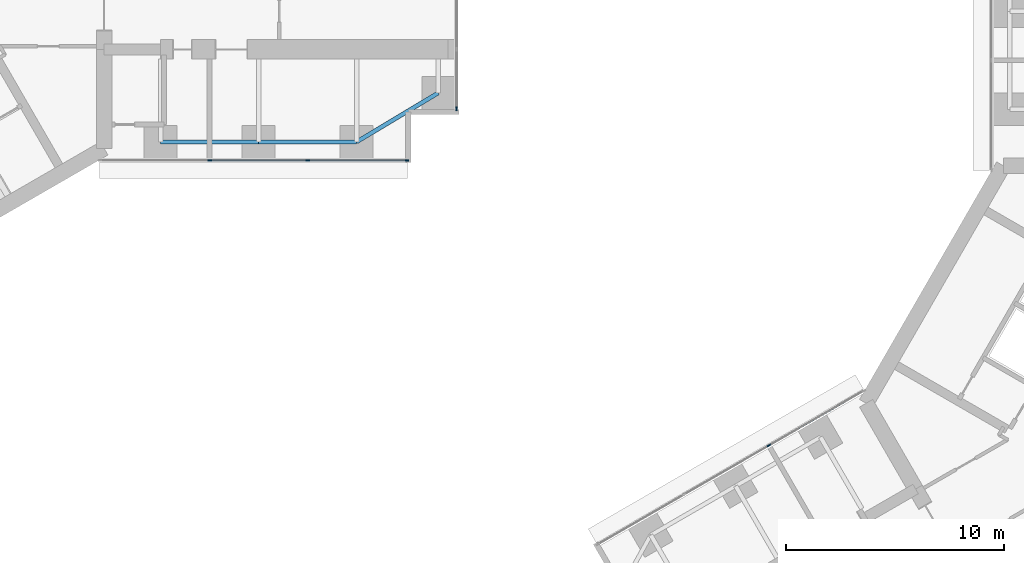
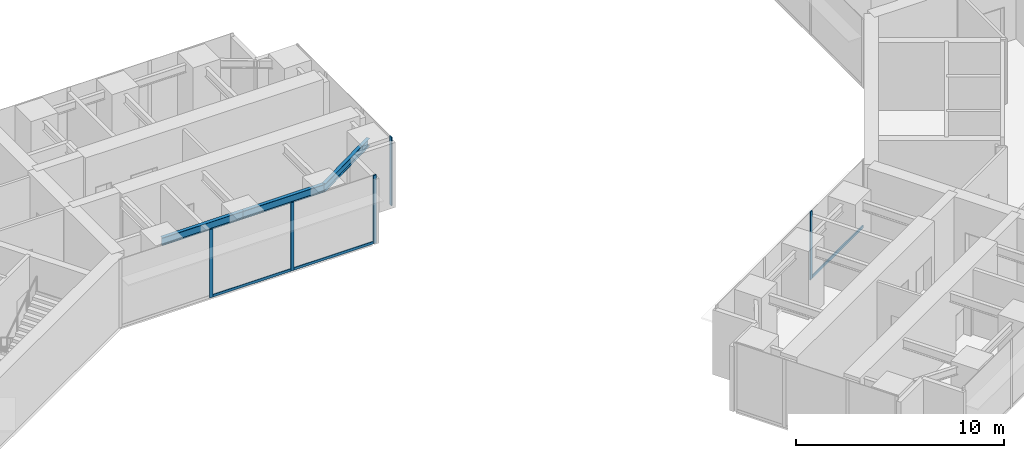
# One storey, part 5 of 23: 8 members, 3 beams, 3 elements without a shape of their own.
"""IFC4 building model written with IfcOpenShell, lengths in metres."""

from ifc_helpers import new_model, si_unit, direction, frame, origin, origin_2d, place, context, subcontext, project, spatial, rectangle, i_section, extrude, material, material_profile, profile_set, type_object, element, aggregate, save


model = new_model("IFC4")

# Units and contexts
model_context = context("Model", 3, precision=1e-05, world=origin(), true_north=direction((0.0, 1.0)))
body_context = subcontext(model_context, "Body", "Model", "MODEL_VIEW")
ifc_project = project(units=[si_unit("LENGTHUNIT", "METRE"), si_unit("AREAUNIT", "SQUARE_METRE"), si_unit("VOLUMEUNIT", "CUBIC_METRE"), si_unit("PLANEANGLEUNIT", "RADIAN"), si_unit("MASSUNIT", "GRAM", prefix="KILO")], contexts=[model_context])

# Site, building, storey
site_placement = place(None, origin())
site = spatial("IfcSite", under=ifc_project, at=site_placement, CompositionType="ELEMENT")
building_placement = place(site_placement, origin())
building = spatial("IfcBuilding", under=site, at=building_placement, Name="Upepo Twin Towers", CompositionType="ELEMENT")
storey_placement = place(building_placement, frame((0.0, 0.0, 28.5)))
storey = spatial("IfcBuildingStorey", under=building, at=storey_placement, Name="L06", CompositionType="ELEMENT", Elevation=28.5)

# Beams
ifc_material_1 = material(Name="Steel S355", Category="steel")
ifc_material_profile_1 = material_profile(ifc_material_1, i_section(OverallWidth=0.1904296875, OverallDepth=0.45703125, WebThickness=0.009033203125, FlangeThickness=0.014404296875, FilletRadius=0.01025390625, at=origin_2d()), Name="UB 457x191x74")
ifc_profile_set_1 = profile_set([ifc_material_profile_1], Name="Steel S355")
beam_type = type_object("IfcBeamType", Name="Beam UB 457x191x74", PredefinedType="BEAM", material=ifc_profile_set_1)
for number, where, z_axis, x_axis, name in (
    (1, (13.5, -6.0, 3.571533203125), (1.0, 0.0, 0.0), (0.0, 1.0, 0.0), "T1 edge beam AR 13.5-18.0"),
    (2, (18.0, -6.0, 3.571533203125), (1.0, 0.0, 0.0), (0.0, 1.0, 0.0), "T1 edge beam AR 18.0-22.5"),
):
    element("IfcBeam", number, at=place(storey_placement, frame(where, z_axis=z_axis, x_axis=x_axis)), inside=storey, type_object=beam_type, Name=name, PredefinedType="BEAM", context=body_context, shape_type="SweptSolid", body=[
        extrude(i_section(OverallWidth=0.1904296875, OverallDepth=0.45703125, WebThickness=0.009033203125, FlangeThickness=0.014404296875, FilletRadius=0.01025390625, at=origin_2d()), origin(), (0.0, 0.0, 1.0), 4.5),
    ])
beam_placement = place(storey_placement, frame((22.5, -6.0, 3.571533203125), z_axis=(0.857492925713, 0.514495755428, 0.0), x_axis=(-0.514495755428, 0.857492925713, 0.0)))
element("IfcBeam", 3, at=beam_placement, inside=storey, type_object=beam_type, Name="T1 nose edge beam AR", PredefinedType="BEAM", context=body_context, shape_type="SweptSolid", body=[
    extrude(i_section(OverallWidth=0.1904296875, OverallDepth=0.45703125, WebThickness=0.009033203125, FlangeThickness=0.014404296875, FilletRadius=0.01025390625, at=origin_2d()), origin(), (0.0, 0.0, 1.0), 4.373291015625),
])

# Curtain wall, members
ifc_material_2 = material(Name="Aluminium and fritted glass", Category="aluminium")
curtain_wall_type = type_object("IfcCurtainWallType", Name="Tower curtain wall TW1, fritted glass", PredefinedType="NOTDEFINED", material=ifc_material_2)
curtain_wall_1_placement = place(storey_placement, origin())
curtain_wall_1 = element("IfcCurtainWall", 4, at=curtain_wall_1_placement, inside=storey, type_object=curtain_wall_type, Name="T1 L06 wing A flank R curtain wall", PredefinedType="NOTDEFINED")
ifc_material_3 = material(Name="Aluminium mullion", Category="aluminium")
ifc_material_profile_2 = material_profile(ifc_material_3, rectangle(XDim=0.06494140625, YDim=0.179931640625, at=origin_2d()), Name="MULLION 65x180")
ifc_profile_set_2 = profile_set([ifc_material_profile_2], Name="Aluminium mullion")
member_type_1 = type_object("IfcMemberType", Name="Mullion 65x180 TW1", PredefinedType="MULLION", material=ifc_profile_set_2)
member_1_placement = place(storey_placement, frame((24.8173828125, -6.85009765625, 0.0), z_axis=(0.0, 0.0, 1.0), x_axis=(0.0, -1.0, 0.0)))
member_1 = element("IfcMember", 5, at=member_1_placement, type_object=member_type_1, Name="T1 L06 wing A flank R curtain wall mullion 1", PredefinedType="MULLION", context=body_context, shape_type="SweptSolid", body=[
    extrude(rectangle(XDim=0.06494140625, YDim=0.179931640625, at=origin_2d()), origin(), (0.0, 0.0, 1.0), 4.0),
])
member_2_placement = place(storey_placement, frame((20.25, -6.85009765625, 0.0), z_axis=(0.0, 0.0, 1.0), x_axis=(0.0, -1.0, 0.0)))
member_2 = element("IfcMember", 6, at=member_2_placement, type_object=member_type_1, Name="T1 L06 wing A flank R curtain wall mullion 2", PredefinedType="MULLION", context=body_context, shape_type="SweptSolid", body=[
    extrude(rectangle(XDim=0.06494140625, YDim=0.179931640625, at=origin_2d()), origin(), (0.0, 0.0, 1.0), 4.0),
])
member_3_placement = place(storey_placement, frame((15.75, -6.85009765625, 0.0), z_axis=(0.0, 0.0, 1.0), x_axis=(0.0, -1.0, 0.0)))
member_3 = element("IfcMember", 7, at=member_3_placement, type_object=member_type_1, Name="T1 L06 wing A flank R curtain wall mullion 3", PredefinedType="MULLION", context=body_context, shape_type="SweptSolid", body=[
    extrude(rectangle(XDim=0.06494140625, YDim=0.179931640625, at=origin_2d()), origin(), (0.0, 0.0, 1.0), 4.0),
])

# Curtain wall, member
curtain_wall_2_placement = place(storey_placement, origin())
curtain_wall_2 = element("IfcCurtainWall", 8, at=curtain_wall_2_placement, inside=storey, type_object=curtain_wall_type, Name="T1 L06 wing A nose curtain wall", PredefinedType="NOTDEFINED")
member_4_placement = place(storey_placement, frame((27.10009765625, -4.467529296875, 0.0), z_axis=(0.0, 0.0, 1.0), x_axis=(-1.0, 0.0, 0.0)))
member_4 = element("IfcMember", 9, at=member_4_placement, type_object=member_type_1, Name="T1 L06 wing A nose curtain wall mullion 1", PredefinedType="MULLION", context=body_context, shape_type="SweptSolid", body=[
    extrude(rectangle(XDim=0.06494140625, YDim=0.179931640625, at=origin_2d()), origin(), (0.0, 0.0, 1.0), 4.0),
])
aggregate(curtain_wall_2, [member_4])

curtain_wall_3_placement = place(storey_placement, origin())
curtain_wall_3 = element("IfcCurtainWall", 10, at=curtain_wall_3_placement, inside=storey, type_object=curtain_wall_type, Name="T2 L06 wing B flank R curtain wall", PredefinedType="NOTDEFINED")
member_5_placement = place(storey_placement, frame((41.43505859375, -19.942626953125, 0.0), z_axis=(0.0, 0.0, 1.0), x_axis=(-0.500000024426, 0.866025389682, 0.0)))
member_5 = element("IfcMember", 11, at=member_5_placement, type_object=member_type_1, Name="T2 L06 wing B flank R curtain wall mullion 3", PredefinedType="MULLION", context=body_context, shape_type="SweptSolid", body=[
    extrude(rectangle(XDim=0.06494140625, YDim=0.179931640625, at=origin_2d()), origin(), (0.0, 0.0, 1.0), 4.0),
])

# Member
ifc_material_4 = material(Name="Aluminium transom", Category="aluminium")
ifc_material_profile_3 = material_profile(ifc_material_4, rectangle(XDim=0.06494140625, YDim=0.14990234375, at=origin_2d()), Name="TRANSOM 65x150")
ifc_profile_set_3 = profile_set([ifc_material_profile_3], Name="Aluminium transom")
member_type_2 = type_object("IfcMemberType", Name="Transom 65x150 TW1", PredefinedType="USERDEFINED", material=ifc_profile_set_3)
member_6_placement = place(storey_placement, frame((24.784912109375, -6.85009765625, 0.074951171875), z_axis=(-1.0, 0.0, 0.0), x_axis=(0.0, -1.0, 0.0)))
member_6 = element("IfcMember", 12, at=member_6_placement, type_object=member_type_2, Name="T1 L06 wing A flank R curtain wall transom 1", ObjectType="TRANSOM", PredefinedType="USERDEFINED", context=body_context, shape_type="SweptSolid", body=[
    extrude(rectangle(XDim=0.06494140625, YDim=0.14990234375, at=origin_2d()), origin(), (0.0, 0.0, 1.0), 4.50244140625),
])

member_7_placement = place(storey_placement, frame((20.217529296875, -6.85009765625, 0.074951171875), z_axis=(-1.0, 0.0, 0.0), x_axis=(0.0, -1.0, 0.0)))
member_7 = element("IfcMember", 13, at=member_7_placement, type_object=member_type_2, Name="T1 L06 wing A flank R curtain wall transom 2", ObjectType="TRANSOM", PredefinedType="USERDEFINED", context=body_context, shape_type="SweptSolid", body=[
    extrude(rectangle(XDim=0.06494140625, YDim=0.14990234375, at=origin_2d()), origin(), (0.0, 0.0, 1.0), 4.43505859375),
])

aggregate(curtain_wall_1, [member_1, member_2, member_3, member_6, member_7])

member_8_placement = place(storey_placement, frame((41.463134765625, -19.926513671875, 0.074951171875), z_axis=(0.866034933967, 0.499983492876, 0.0), x_axis=(-0.499983492876, 0.866034933967, 0.0)))
member_8 = element("IfcMember", 14, at=member_8_placement, type_object=member_type_2, Name="T2 L06 wing B flank R curtain wall transom 3", ObjectType="TRANSOM", PredefinedType="USERDEFINED", context=body_context, shape_type="SweptSolid", body=[
    extrude(rectangle(XDim=0.06494140625, YDim=0.14990234375, at=origin_2d()), origin(), (0.0, 0.0, 1.0), 4.965576171875),
])

aggregate(curtain_wall_3, [member_5, member_8])

save(model, "model.ifc")
